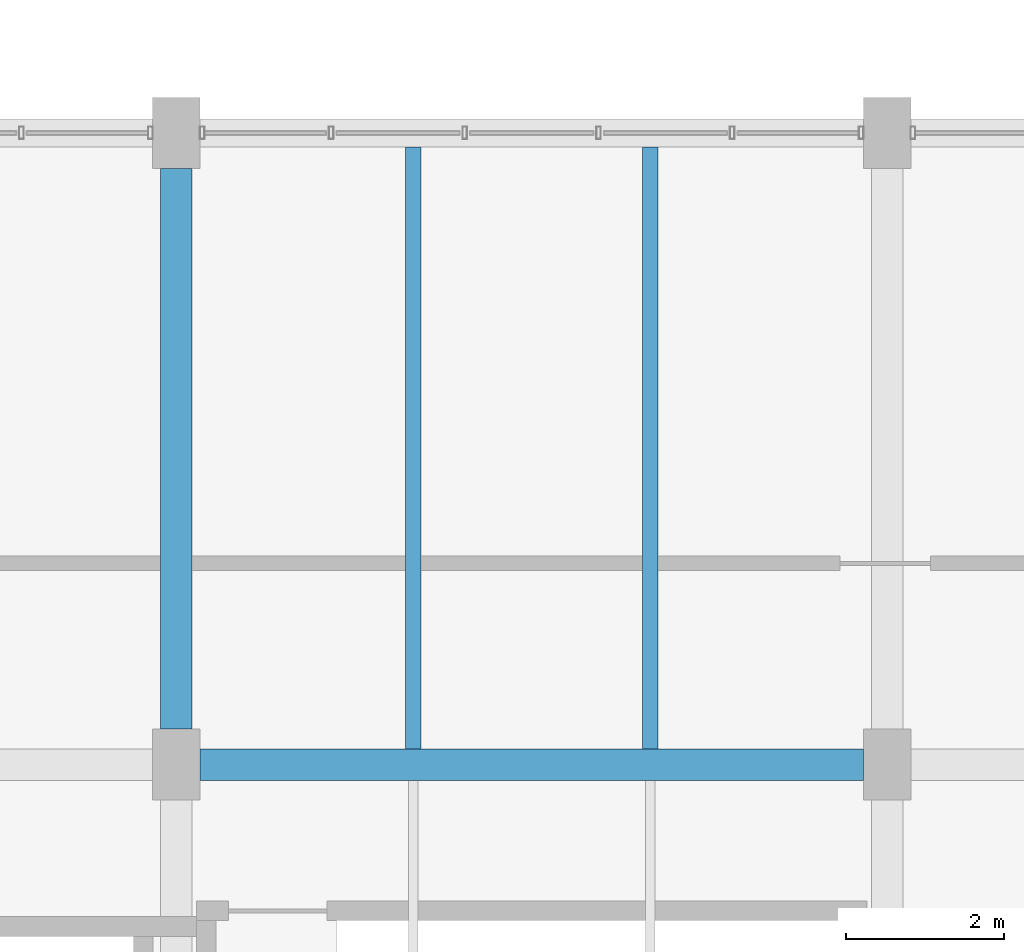
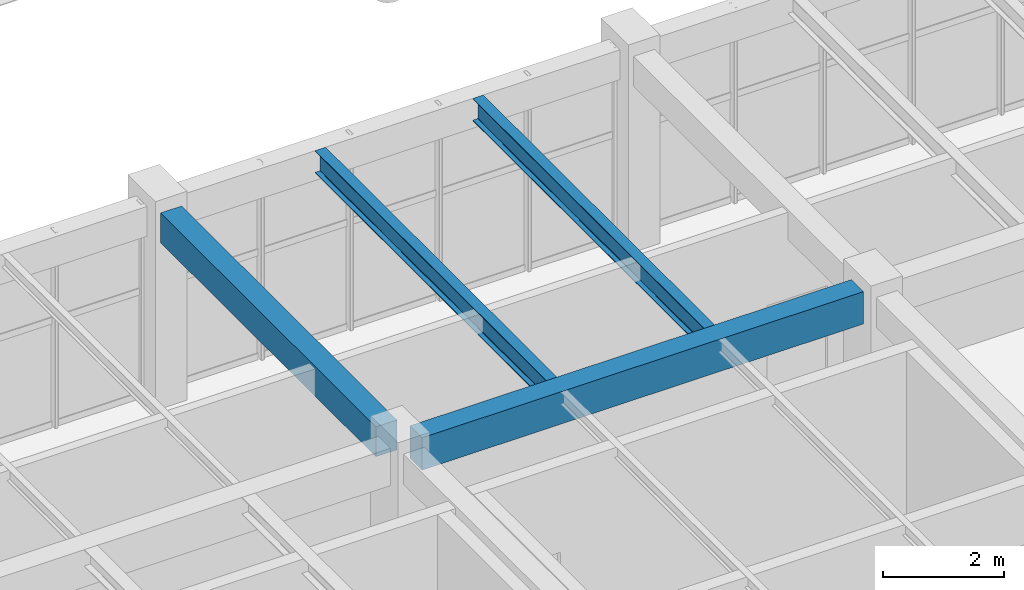
# One storey, part 12 of 148: 4 beams.
"""IFC4 building model written with IfcOpenShell, lengths in metres."""

import ifcopenshell
import ifcopenshell.guid

model = None  # the IFC model being written
_history = None  # IfcOwnerHistory: only IFC2X3 demands one
_inside = {}  # id of a spatial element -> (the spatial element, [elements in it])
_under = {}  # id of a project, library or spatial element -> (it, [spatial elements below it])
_declared = {}  # id of a project -> (the project, [libraries it declares])
_typed = {}  # id of a type object -> (the type object, [elements of that type])
_made_of = {}  # id of a material, layer set ... -> (it, [elements and type objects made of it])


def new_model(schema):
    """Start an empty IFC model of exactly this schema.

    Asked for "IFC4X3", IfcOpenShell would pick the latest addendum, in which some entities
    have other attributes; the version numbers below select the first issue.
    IFC2X3 requires an IfcOwnerHistory on every rooted entity: one is made here for all.
    """
    global model, _history
    if schema == "IFC4X3":
        model = ifcopenshell.file(schema_version=(4, 3, 0, 0))
    else:
        model = ifcopenshell.file(schema=schema)
    _inside.clear()
    _under.clear()
    _declared.clear()
    _typed.clear()
    _made_of.clear()
    _history = None
    if model.schema == "IFC2X3":
        org = make("IfcOrganization", Name="unknown")
        user = make(
            "IfcPersonAndOrganization",
            ThePerson=make("IfcPerson", FamilyName="unknown"),
            TheOrganization=org,
        )
        app = make(
            "IfcApplication",
            ApplicationDeveloper=org,
            Version="unknown",
            ApplicationFullName="unknown",
            ApplicationIdentifier="unknown",
        )
        _history = make(
            "IfcOwnerHistory",
            OwningUser=user,
            OwningApplication=app,
            ChangeAction="ADDED",
            CreationDate=0,
        )
    return model


def make(cls, **values):
    """One entity of the class cls with the attributes given. An attribute that is None is left unset."""
    return model.create_entity(
        cls, **{name: value for name, value in values.items() if value is not None}
    )


def rooted(cls, **values):
    """An entity with a GlobalId (a new one), such as an element, a storey or a relation."""
    return make(cls, GlobalId=ifcopenshell.guid.new(), OwnerHistory=_history, **values)


def si_unit(unit_type, name, prefix=None):
    """IfcSIUnit, for example si_unit("LENGTHUNIT", "METRE", prefix="MILLI")."""
    return make("IfcSIUnit", UnitType=unit_type, Prefix=prefix, Name=name)


def derived_unit(unit_type, elements):
    """IfcDerivedUnit: a product of units, each with its exponent."""
    return make(
        "IfcDerivedUnit",
        Elements=[
            make("IfcDerivedUnitElement", Unit=unit, Exponent=power)
            for unit, power in elements
        ],
        UnitType=unit_type,
    )


def assignment(units):
    """IfcUnitAssignment: the units of a project."""
    return None if units is None else make("IfcUnitAssignment", Units=units)


def point(xyz):
    """IfcCartesianPoint."""
    return None if xyz is None else make("IfcCartesianPoint", Coordinates=xyz)


def direction(xyz):
    """IfcDirection."""
    return None if xyz is None else make("IfcDirection", DirectionRatios=xyz)


def frame(location, z_axis=None, x_axis=None):
    """IfcAxis2Placement3D, a coordinate frame: its origin and axes. An axis left out is left unset."""
    return make(
        "IfcAxis2Placement3D",
        Location=point(location),
        Axis=direction(z_axis),
        RefDirection=direction(x_axis),
    )


def frame_2d(location, x_axis=None):
    """IfcAxis2Placement2D, a coordinate frame in the plane: its origin and x axis."""
    return make(
        "IfcAxis2Placement2D", Location=point(location), RefDirection=direction(x_axis)
    )


def origin():
    """The frame at (0, 0, 0) with its axes left unset."""
    return frame((0.0, 0.0, 0.0))


def origin_2d():
    """The frame at (0, 0) in the plane with its x axis left unset."""
    return frame_2d((0.0, 0.0))


def place(relative_to, where):
    """IfcLocalPlacement: puts the frame where relative to a parent placement (None: the world)."""
    return make(
        "IfcLocalPlacement", PlacementRelTo=relative_to, RelativePlacement=where
    )


def context(
    kind, dimensions, precision=None, world=None, true_north=None, identifier=None
):
    """IfcGeometricRepresentationContext, for example the 3D "Model" context."""
    return make(
        "IfcGeometricRepresentationContext",
        ContextIdentifier=identifier,
        ContextType=kind,
        CoordinateSpaceDimension=dimensions,
        Precision=precision,
        WorldCoordinateSystem=world,
        TrueNorth=true_north,
    )


def subcontext(parent, identifier, kind, view, scale=None):
    """IfcGeometricRepresentationSubContext, for example "Body" below "Model"."""
    return make(
        "IfcGeometricRepresentationSubContext",
        ContextIdentifier=identifier,
        ContextType=kind,
        ParentContext=parent,
        TargetScale=scale,
        TargetView=view,
    )


def project(units=None, contexts=None):
    """IfcProject with its units and contexts."""
    return rooted(
        "IfcProject",
        Name="project",
        RepresentationContexts=contexts,
        UnitsInContext=assignment(units),
    )


def spatial(cls, under=None, at=None, **own):
    """A site, building, storey or space (cls), placed at a placement, below another one or the project."""
    s = rooted(cls, ObjectPlacement=at, **own)
    if under is not None:
        _under.setdefault(under.id(), (under, []))[1].append(s)
    return s


def profile(cls, at=None, kind="AREA", **sizes):
    """A parametric profile (cls). Its sizes go by their IFC names, for example OverallWidth=200.0."""
    return make(cls, ProfileType=kind, Position=at, **sizes)


def rectangle(**sizes):
    """IfcRectangleProfileDef."""
    return profile("IfcRectangleProfileDef", **sizes)


def i_section(**sizes):
    """IfcIShapeProfileDef."""
    return profile("IfcIShapeProfileDef", **sizes)


def extrude(swept, where, along, depth):
    """IfcExtrudedAreaSolid: the profile swept, set in the frame where, extruded along a direction by depth."""
    return make(
        "IfcExtrudedAreaSolid",
        SweptArea=swept,
        Position=where,
        ExtrudedDirection=direction(along),
        Depth=depth,
    )


def shape(context_of_items, identifier, shape_type, items):
    """IfcShapeRepresentation: the items that make up one representation, for example the "Body"."""
    return make(
        "IfcShapeRepresentation",
        ContextOfItems=context_of_items,
        RepresentationIdentifier=identifier,
        RepresentationType=shape_type,
        Items=items,
    )


def material(Name=None, Category=None):
    """IfcMaterial."""
    return make("IfcMaterial", Name=Name, Category=Category)


def material_profile(
    of_material, cross_section, Name=None, Category=None, Priority=None
):
    """IfcMaterialProfile: a cross section and its material."""
    return make(
        "IfcMaterialProfile",
        Name=Name,
        Material=of_material,
        Profile=cross_section,
        Priority=Priority,
        Category=Category,
    )


def profile_set(profiles, Name=None, composite=None):
    """IfcMaterialProfileSet."""
    return make(
        "IfcMaterialProfileSet",
        Name=Name,
        MaterialProfiles=profiles,
        CompositeProfile=composite,
    )


def made_of(thing, what):
    """Note that an element or type object is made of a material, layer set ...; save() writes the relation."""
    if what is not None:
        _made_of.setdefault(what.id(), (what, []))[1].append(thing)
    return thing


def type_object(cls, material=None, **own):
    """A type object (cls), such as IfcWallType, which elements share."""
    return made_of(rooted(cls, **own), material)


def element(
    cls,
    number,
    at=None,
    inside=None,
    cuts=None,
    type_object=None,
    material=None,
    context=None,
    identifier="Body",
    shape_type=None,
    held_by="IfcProductDefinitionShape",
    body=None,
    shapes=None,
    **own,
):
    """One element of the class cls, such as IfcWall. Its Tag is "e" and its number.

    at: its placement. inside: the storey or other place that contains it. cuts: it is an
    opening in that element (IfcRelVoidsElement). A single representation is given by context,
    identifier, shape_type and body (its items); several are given by shapes. held_by: the class
    of the entity that holds the representations. save() writes the other relations.
    """
    e = rooted(cls, Tag="e%d" % number, ObjectPlacement=at, **own)
    if body is not None:
        shapes = [shape(context, identifier, shape_type, body)]
    if shapes is not None:
        e.Representation = make(held_by, Representations=shapes)
    if inside is not None:
        _inside.setdefault(inside.id(), (inside, []))[1].append(e)
    if cuts is not None:
        rooted(
            "IfcRelVoidsElement", RelatingBuildingElement=cuts, RelatedOpeningElement=e
        )
    if type_object is not None:
        _typed.setdefault(type_object.id(), (type_object, []))[1].append(e)
    return made_of(e, material)


def aggregate(whole, parts):
    """IfcRelAggregates: a whole, such as a stair, and the parts it consists of."""
    return rooted("IfcRelAggregates", RelatingObject=whole, RelatedObjects=parts)


def save(model, path):
    """Write the relations noted so far, then the file.

    IfcRelAggregates (storeys below a building ...), IfcRelContainedInSpatialStructure (elements
    in a storey), IfcRelDefinesByType, IfcRelAssociatesMaterial and IfcRelDeclares: one each for
    every whole, place, type object, material and project.
    """
    for whole, parts in _under.values():
        aggregate(whole, parts)
    for where, things in _inside.values():
        rooted(
            "IfcRelContainedInSpatialStructure",
            RelatedElements=things,
            RelatingStructure=where,
        )
    for kind, things in _typed.values():
        rooted("IfcRelDefinesByType", RelatedObjects=things, RelatingType=kind)
    for what, things in _made_of.values():
        rooted("IfcRelAssociatesMaterial", RelatedObjects=things, RelatingMaterial=what)
    for by, libraries in _declared.values():
        rooted("IfcRelDeclares", RelatingContext=by, RelatedDefinitions=libraries)
    model.write(path)


model = new_model("IFC4")

# Units and contexts
model_context = context("Model", 3, precision=1e-05, world=origin(), true_north=direction((0.0, 1.0)))
body_context = subcontext(model_context, "Body", "Model", "MODEL_VIEW")
ifc_project = project(units=[si_unit("LENGTHUNIT", "METRE"), si_unit("AREAUNIT", "SQUARE_METRE"), si_unit("VOLUMEUNIT", "CUBIC_METRE"), si_unit("PLANEANGLEUNIT", "RADIAN"), si_unit("MASSUNIT", "GRAM", prefix="KILO"), derived_unit("THERMALTRANSMITTANCEUNIT", [(si_unit("MASSUNIT", "GRAM", prefix="KILO"), 1), (si_unit("TIMEUNIT", "SECOND"), -3), (si_unit("THERMODYNAMICTEMPERATUREUNIT", "KELVIN"), -1)])], contexts=[model_context])

# Site, building, storey
site_placement = place(None, origin())
site = spatial("IfcSite", under=ifc_project, at=site_placement, CompositionType="ELEMENT")
building_placement = place(site_placement, origin())
building = spatial("IfcBuilding", under=site, at=building_placement, Name="Zhenchuan Archway Interchange", CompositionType="ELEMENT")
storey_placement = place(building_placement, frame((0.0, 0.0, 10.199951171875)))
storey = spatial("IfcBuildingStorey", under=building, at=storey_placement, Name="L02", CompositionType="ELEMENT", Elevation=10.199951171875)

# Beams
ifc_material_1 = material(Name="Concrete C40", Category="concrete")
ifc_material_profile_1 = material_profile(ifc_material_1, rectangle(XDim=0.39990234375, YDim=0.60009765625, at=origin_2d()), Name="RC 400x600")
ifc_profile_set_1 = profile_set([ifc_material_profile_1], Name="Concrete C40")
beam_type_1 = type_object("IfcBeamType", Name="BM_RC_400x600", PredefinedType="BEAM", material=ifc_profile_set_1)
beam_1_placement = place(storey_placement, frame((9.0, 8.449951171875, 3.64013671875), z_axis=(0.0, 1.0, 0.0), x_axis=(-1.0, 0.0, 0.0)))
element("IfcBeam", 1, at=beam_1_placement, inside=storey, type_object=beam_type_1, Name="Beam 2:B-C (L02)", PredefinedType="BEAM", context=body_context, shape_type="SweptSolid", body=[
    extrude(rectangle(XDim=0.39990234375, YDim=0.60009765625, at=origin_2d()), origin(), (0.0, 0.0, 1.0), 7.10009765625),
])
ifc_material_profile_2 = material_profile(ifc_material_1, rectangle(XDim=0.39990234375, YDim=0.64990234375, at=origin_2d()), Name="RC 400x650")
ifc_profile_set_2 = profile_set([ifc_material_profile_2], Name="Concrete C40")
beam_type_2 = type_object("IfcBeamType", Name="BM_RC_400x650", PredefinedType="BEAM", material=ifc_profile_set_2)
beam_2_placement = place(storey_placement, frame((9.300048828125, 8.0, 3.614990234375), z_axis=(1.0, 0.0, 0.0), x_axis=(0.0, 1.0, 0.0)))
element("IfcBeam", 2, at=beam_2_placement, inside=storey, type_object=beam_type_2, Name="Beam B:2-3 (L02)", PredefinedType="BEAM", context=body_context, shape_type="SweptSolid", body=[
    extrude(rectangle(XDim=0.39990234375, YDim=0.64990234375, at=origin_2d()), origin(), (0.0, 0.0, 1.0), 8.39990234375),
])
ifc_material_2 = material(Name="Steel Q355", Category="steel")
ifc_material_profile_3 = material_profile(ifc_material_2, i_section(OverallWidth=0.199951171875, OverallDepth=0.449951171875, WebThickness=0.009033203125, FlangeThickness=0.013916015625, FilletRadius=0.01806640625, at=origin_2d()), Name="HN 450x200")
ifc_profile_set_3 = profile_set([ifc_material_profile_3], Name="Steel Q355")
beam_type_3 = type_object("IfcBeamType", Name="JST_STL_HN450", PredefinedType="JOIST", material=ifc_profile_set_3)
for number, where, z_axis, x_axis, name in (
    (3, (12.0, 8.199951171875, 3.715087890625), (0.0, 1.0, 0.0), (-1.0, 0.0, 0.0), "Secondary joist 2-3/B-C #1 (L02)"),
    (4, (15.0, 8.199951171875, 3.715087890625), (0.0, 1.0, 0.0), (-1.0, 0.0, 0.0), "Secondary joist 2-3/B-C #2 (L02)"),
):
    element("IfcBeam", number, at=place(storey_placement, frame(where, z_axis=z_axis, x_axis=x_axis)), inside=storey, type_object=beam_type_3, Name=name, PredefinedType="JOIST", context=body_context, shape_type="SweptSolid", body=[
        extrude(i_section(OverallWidth=0.199951171875, OverallDepth=0.449951171875, WebThickness=0.009033203125, FlangeThickness=0.013916015625, FilletRadius=0.01806640625, at=origin_2d()), origin(), (0.0, 0.0, 1.0), 7.625),
    ])

save(model, "model.ifc")
